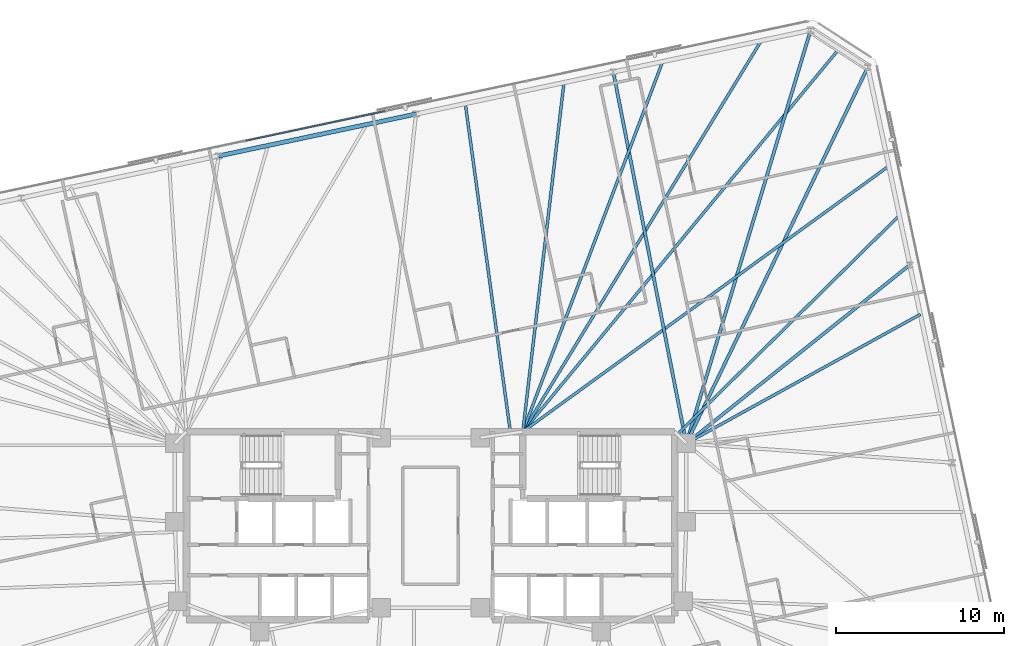
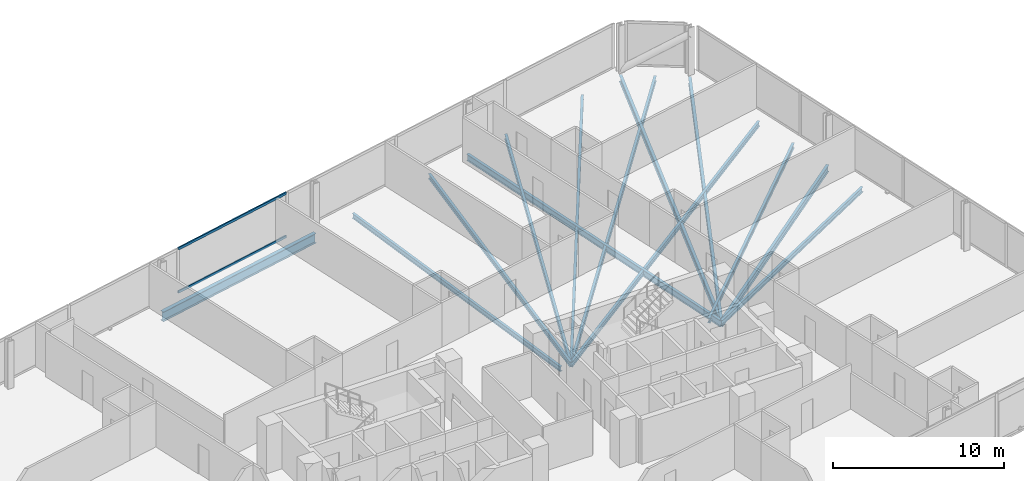
# One storey, part 10 of 19: 13 beams, 2 members, 1 element without a shape of its own.
"""IFC4 building model written with IfcOpenShell, lengths in metres."""

import ifcopenshell
import ifcopenshell.guid

model = None  # the IFC model being written
_history = None  # IfcOwnerHistory: only IFC2X3 demands one
_inside = {}  # id of a spatial element -> (the spatial element, [elements in it])
_under = {}  # id of a project, library or spatial element -> (it, [spatial elements below it])
_declared = {}  # id of a project -> (the project, [libraries it declares])
_typed = {}  # id of a type object -> (the type object, [elements of that type])
_made_of = {}  # id of a material, layer set ... -> (it, [elements and type objects made of it])


def new_model(schema):
    """Start an empty IFC model of exactly this schema.

    Asked for "IFC4X3", IfcOpenShell would pick the latest addendum, in which some entities
    have other attributes; the version numbers below select the first issue.
    IFC2X3 requires an IfcOwnerHistory on every rooted entity: one is made here for all.
    """
    global model, _history
    if schema == "IFC4X3":
        model = ifcopenshell.file(schema_version=(4, 3, 0, 0))
    else:
        model = ifcopenshell.file(schema=schema)
    _inside.clear()
    _under.clear()
    _declared.clear()
    _typed.clear()
    _made_of.clear()
    _history = None
    if model.schema == "IFC2X3":
        org = make("IfcOrganization", Name="unknown")
        user = make(
            "IfcPersonAndOrganization",
            ThePerson=make("IfcPerson", FamilyName="unknown"),
            TheOrganization=org,
        )
        app = make(
            "IfcApplication",
            ApplicationDeveloper=org,
            Version="unknown",
            ApplicationFullName="unknown",
            ApplicationIdentifier="unknown",
        )
        _history = make(
            "IfcOwnerHistory",
            OwningUser=user,
            OwningApplication=app,
            ChangeAction="ADDED",
            CreationDate=0,
        )
    return model


def make(cls, **values):
    """One entity of the class cls with the attributes given. An attribute that is None is left unset."""
    return model.create_entity(
        cls, **{name: value for name, value in values.items() if value is not None}
    )


def rooted(cls, **values):
    """An entity with a GlobalId (a new one), such as an element, a storey or a relation."""
    return make(cls, GlobalId=ifcopenshell.guid.new(), OwnerHistory=_history, **values)


def si_unit(unit_type, name, prefix=None):
    """IfcSIUnit, for example si_unit("LENGTHUNIT", "METRE", prefix="MILLI")."""
    return make("IfcSIUnit", UnitType=unit_type, Prefix=prefix, Name=name)


def assignment(units):
    """IfcUnitAssignment: the units of a project."""
    return None if units is None else make("IfcUnitAssignment", Units=units)


def point(xyz):
    """IfcCartesianPoint."""
    return None if xyz is None else make("IfcCartesianPoint", Coordinates=xyz)


def direction(xyz):
    """IfcDirection."""
    return None if xyz is None else make("IfcDirection", DirectionRatios=xyz)


def frame(location, z_axis=None, x_axis=None):
    """IfcAxis2Placement3D, a coordinate frame: its origin and axes. An axis left out is left unset."""
    return make(
        "IfcAxis2Placement3D",
        Location=point(location),
        Axis=direction(z_axis),
        RefDirection=direction(x_axis),
    )


def frame_2d(location, x_axis=None):
    """IfcAxis2Placement2D, a coordinate frame in the plane: its origin and x axis."""
    return make(
        "IfcAxis2Placement2D", Location=point(location), RefDirection=direction(x_axis)
    )


def origin():
    """The frame at (0, 0, 0) with its axes left unset."""
    return frame((0.0, 0.0, 0.0))


def origin_2d():
    """The frame at (0, 0) in the plane with its x axis left unset."""
    return frame_2d((0.0, 0.0))


def place(relative_to, where):
    """IfcLocalPlacement: puts the frame where relative to a parent placement (None: the world)."""
    return make(
        "IfcLocalPlacement", PlacementRelTo=relative_to, RelativePlacement=where
    )


def context(
    kind, dimensions, precision=None, world=None, true_north=None, identifier=None
):
    """IfcGeometricRepresentationContext, for example the 3D "Model" context."""
    return make(
        "IfcGeometricRepresentationContext",
        ContextIdentifier=identifier,
        ContextType=kind,
        CoordinateSpaceDimension=dimensions,
        Precision=precision,
        WorldCoordinateSystem=world,
        TrueNorth=true_north,
    )


def subcontext(parent, identifier, kind, view, scale=None):
    """IfcGeometricRepresentationSubContext, for example "Body" below "Model"."""
    return make(
        "IfcGeometricRepresentationSubContext",
        ContextIdentifier=identifier,
        ContextType=kind,
        ParentContext=parent,
        TargetScale=scale,
        TargetView=view,
    )


def project(units=None, contexts=None):
    """IfcProject with its units and contexts."""
    return rooted(
        "IfcProject",
        Name="project",
        RepresentationContexts=contexts,
        UnitsInContext=assignment(units),
    )


def spatial(cls, under=None, at=None, **own):
    """A site, building, storey or space (cls), placed at a placement, below another one or the project."""
    s = rooted(cls, ObjectPlacement=at, **own)
    if under is not None:
        _under.setdefault(under.id(), (under, []))[1].append(s)
    return s


def profile(cls, at=None, kind="AREA", **sizes):
    """A parametric profile (cls). Its sizes go by their IFC names, for example OverallWidth=200.0."""
    return make(cls, ProfileType=kind, Position=at, **sizes)


def rectangle(**sizes):
    """IfcRectangleProfileDef."""
    return profile("IfcRectangleProfileDef", **sizes)


def i_section(**sizes):
    """IfcIShapeProfileDef."""
    return profile("IfcIShapeProfileDef", **sizes)


def extrude(swept, where, along, depth):
    """IfcExtrudedAreaSolid: the profile swept, set in the frame where, extruded along a direction by depth."""
    return make(
        "IfcExtrudedAreaSolid",
        SweptArea=swept,
        Position=where,
        ExtrudedDirection=direction(along),
        Depth=depth,
    )


def shape(context_of_items, identifier, shape_type, items):
    """IfcShapeRepresentation: the items that make up one representation, for example the "Body"."""
    return make(
        "IfcShapeRepresentation",
        ContextOfItems=context_of_items,
        RepresentationIdentifier=identifier,
        RepresentationType=shape_type,
        Items=items,
    )


def material(Name=None, Category=None):
    """IfcMaterial."""
    return make("IfcMaterial", Name=Name, Category=Category)


def material_profile(
    of_material, cross_section, Name=None, Category=None, Priority=None
):
    """IfcMaterialProfile: a cross section and its material."""
    return make(
        "IfcMaterialProfile",
        Name=Name,
        Material=of_material,
        Profile=cross_section,
        Priority=Priority,
        Category=Category,
    )


def profile_set(profiles, Name=None, composite=None):
    """IfcMaterialProfileSet."""
    return make(
        "IfcMaterialProfileSet",
        Name=Name,
        MaterialProfiles=profiles,
        CompositeProfile=composite,
    )


def made_of(thing, what):
    """Note that an element or type object is made of a material, layer set ...; save() writes the relation."""
    if what is not None:
        _made_of.setdefault(what.id(), (what, []))[1].append(thing)
    return thing


def type_object(cls, material=None, **own):
    """A type object (cls), such as IfcWallType, which elements share."""
    return made_of(rooted(cls, **own), material)


def element(
    cls,
    number,
    at=None,
    inside=None,
    cuts=None,
    type_object=None,
    material=None,
    context=None,
    identifier="Body",
    shape_type=None,
    held_by="IfcProductDefinitionShape",
    body=None,
    shapes=None,
    **own,
):
    """One element of the class cls, such as IfcWall. Its Tag is "e" and its number.

    at: its placement. inside: the storey or other place that contains it. cuts: it is an
    opening in that element (IfcRelVoidsElement). A single representation is given by context,
    identifier, shape_type and body (its items); several are given by shapes. held_by: the class
    of the entity that holds the representations. save() writes the other relations.
    """
    e = rooted(cls, Tag="e%d" % number, ObjectPlacement=at, **own)
    if body is not None:
        shapes = [shape(context, identifier, shape_type, body)]
    if shapes is not None:
        e.Representation = make(held_by, Representations=shapes)
    if inside is not None:
        _inside.setdefault(inside.id(), (inside, []))[1].append(e)
    if cuts is not None:
        rooted(
            "IfcRelVoidsElement", RelatingBuildingElement=cuts, RelatedOpeningElement=e
        )
    if type_object is not None:
        _typed.setdefault(type_object.id(), (type_object, []))[1].append(e)
    return made_of(e, material)


def aggregate(whole, parts):
    """IfcRelAggregates: a whole, such as a stair, and the parts it consists of."""
    return rooted("IfcRelAggregates", RelatingObject=whole, RelatedObjects=parts)


def save(model, path):
    """Write the relations noted so far, then the file.

    IfcRelAggregates (storeys below a building ...), IfcRelContainedInSpatialStructure (elements
    in a storey), IfcRelDefinesByType, IfcRelAssociatesMaterial and IfcRelDeclares: one each for
    every whole, place, type object, material and project.
    """
    for whole, parts in _under.values():
        aggregate(whole, parts)
    for where, things in _inside.values():
        rooted(
            "IfcRelContainedInSpatialStructure",
            RelatedElements=things,
            RelatingStructure=where,
        )
    for kind, things in _typed.values():
        rooted("IfcRelDefinesByType", RelatedObjects=things, RelatingType=kind)
    for what, things in _made_of.values():
        rooted("IfcRelAssociatesMaterial", RelatedObjects=things, RelatingMaterial=what)
    for by, libraries in _declared.values():
        rooted("IfcRelDeclares", RelatingContext=by, RelatedDefinitions=libraries)
    model.write(path)


model = new_model("IFC4")

# Units and contexts
model_context = context("Model", 3, precision=1e-05, world=origin(), true_north=direction((0.0, 1.0)))
body_context = subcontext(model_context, "Body", "Model", "MODEL_VIEW")
ifc_project = project(units=[si_unit("LENGTHUNIT", "METRE"), si_unit("AREAUNIT", "SQUARE_METRE"), si_unit("VOLUMEUNIT", "CUBIC_METRE"), si_unit("PLANEANGLEUNIT", "RADIAN"), si_unit("MASSUNIT", "GRAM", prefix="KILO")], contexts=[model_context])

# Site, building, storey
site_placement = place(None, origin())
site = spatial("IfcSite", under=ifc_project, at=site_placement, CompositionType="ELEMENT")
building_placement = place(site_placement, origin())
building = spatial("IfcBuilding", under=site, at=building_placement, Name="Menara Jurai Vektor", CompositionType="ELEMENT")
storey_placement = place(building_placement, frame((0.0, 0.0, 195.60009765625)))
storey = spatial("IfcBuildingStorey", under=building, at=storey_placement, Name="L51", CompositionType="ELEMENT", Elevation=195.60009765625)

# Curtain wall, members
ifc_material_1 = material(Name="Anodised Pale Aluminium & Low-E Double Glazing", Category="aluminium")
curtain_wall_type = type_object("IfcCurtainWallType", Name="CW-BLK3", PredefinedType="NOTDEFINED", material=ifc_material_1)
curtain_wall_placement = place(storey_placement, origin())
curtain_wall = element("IfcCurtainWall", 1, at=curtain_wall_placement, inside=storey, type_object=curtain_wall_type, Name="Unitised Curtain Wall L51 F05", PredefinedType="NOTDEFINED")
ifc_material_2 = material(Name="Anodised Pale Aluminium Transom", Category="aluminium")
ifc_material_profile_1 = material_profile(ifc_material_2, rectangle(XDim=0.0849609375, YDim=0.175048828125, at=origin_2d()), Name="ALU TRN 85x175")
ifc_profile_set_1 = profile_set([ifc_material_profile_1], Name="Anodised Pale Aluminium Transom")
member_type = type_object("IfcMemberType", Name="CW-BLK3-TRN", PredefinedType="USERDEFINED", material=ifc_profile_set_1)
member_1_placement = place(storey_placement, frame((-2.716796875, 24.712890625, 0.04248046875), z_axis=(-0.978153589924, -0.207883511896, 0.0), x_axis=(0.207883511896, -0.978153589924, 0.0)))
member_1 = element("IfcMember", 2, at=member_1_placement, type_object=member_type, Name="CW-03 transom 4.1", ObjectType="TRANSOM", PredefinedType="USERDEFINED", context=body_context, shape_type="SweptSolid", body=[
    extrude(rectangle(XDim=0.0849609375, YDim=0.175048828125, at=origin_2d()), origin(), (0.0, 0.0, 1.0), 8.4921875),
])
member_2_placement = place(storey_placement, frame((-2.716796875, 24.712890625, 3.13232421875), z_axis=(-0.978153589924, -0.207883511896, 0.0), x_axis=(0.207883511896, -0.978153589924, 0.0)))
member_2 = element("IfcMember", 3, at=member_2_placement, type_object=member_type, Name="CW-03 transom 4.2", ObjectType="TRANSOM", PredefinedType="USERDEFINED", context=body_context, shape_type="SweptSolid", body=[
    extrude(rectangle(XDim=0.0849609375, YDim=0.175048828125, at=origin_2d()), origin(), (0.0, 0.0, 1.0), 8.4921875),
])
aggregate(curtain_wall, [member_1, member_2])

# Beams
ifc_material_3 = material(Name="Steel S355", Category="steel")
ifc_material_profile_2 = material_profile(ifc_material_3, i_section(OverallWidth=0.19091796875, OverallDepth=0.4599609375, WebThickness=0.010009765625, FlangeThickness=0.01611328125, FilletRadius=0.010009765625, at=origin_2d()), Name="UKB 457x191x82")
ifc_profile_set_2 = profile_set([ifc_material_profile_2], Name="Steel S355")
beam_type_1 = type_object("IfcBeamType", Name="STR-BM-457", PredefinedType="BEAM", material=ifc_profile_set_2)
beam_1_placement = place(storey_placement, frame((28.5771484375, 15.544921875, -0.455078125), z_axis=(-0.781346163898, -0.624097886683, 0.0), x_axis=(0.624097886683, -0.781346163898, 0.0)))
element("IfcBeam", 4, at=beam_1_placement, inside=storey, type_object=beam_type_1, Name="Radial Floor Girder L51-E3", PredefinedType="BEAM", context=body_context, shape_type="SweptSolid", body=[
    extrude(i_section(OverallWidth=0.19091796875, OverallDepth=0.4599609375, WebThickness=0.010009765625, FlangeThickness=0.01611328125, FilletRadius=0.010009765625, at=origin_2d()), origin(), (0.0, 0.0, 1.0), 17.056640625),
])
beam_2_placement = place(storey_placement, frame((26.0712890625, 27.33349609375, -0.455078125), z_axis=(-0.434465059539, -0.900688687639, 0.0), x_axis=(0.900688687639, -0.434465059539, 0.0)))
element("IfcBeam", 5, at=beam_2_placement, inside=storey, type_object=beam_type_1, Name="Radial Floor Girder L51-E4", PredefinedType="BEAM", context=body_context, shape_type="SweptSolid", body=[
    extrude(i_section(OverallWidth=0.19091796875, OverallDepth=0.4599609375, WebThickness=0.010009765625, FlangeThickness=0.01611328125, FilletRadius=0.010009765625, at=origin_2d()), origin(), (0.0, 0.0, 1.0), 24.9072265625),
])
beam_3_placement = place(storey_placement, frame((22.664794921875, 29.545654296875, -0.455078125), z_axis=(-0.288098843548, -0.957600676872, 0.0), x_axis=(0.957600676872, -0.288098843548, 0.0)))
element("IfcBeam", 6, at=beam_3_placement, inside=storey, type_object=beam_type_1, Name="Radial Floor Girder L51-N1", PredefinedType="BEAM", context=body_context, shape_type="SweptSolid", body=[
    extrude(i_section(OverallWidth=0.19091796875, OverallDepth=0.4599609375, WebThickness=0.010009765625, FlangeThickness=0.01611328125, FilletRadius=0.010009765625, at=origin_2d()), origin(), (0.0, 0.0, 1.0), 25.737060546875),
])
beam_4_placement = place(storey_placement, frame((10.896484375, 27.044189453125, -0.455078125), z_axis=(0.192905075816, -0.981217423268, 0.0), x_axis=(0.981217423268, 0.192905075816, 0.0)))
element("IfcBeam", 7, at=beam_4_placement, inside=storey, type_object=beam_type_1, Name="Radial Floor Girder L51-N2", PredefinedType="BEAM", context=body_context, shape_type="SweptSolid", body=[
    extrude(i_section(OverallWidth=0.19091796875, OverallDepth=0.4599609375, WebThickness=0.010009765625, FlangeThickness=0.01611328125, FilletRadius=0.010009765625, at=origin_2d()), origin(), (0.0, 0.0, 1.0), 22.568115234375),
])
ifc_material_profile_3 = material_profile(ifc_material_3, i_section(OverallWidth=0.172119140625, OverallDepth=0.35498046875, WebThickness=0.007080078125, FlangeThickness=0.011962890625, FilletRadius=0.010009765625, at=origin_2d()), Name="UKB 356x171x51")
ifc_profile_set_3 = profile_set([ifc_material_profile_3], Name="Steel S355")
beam_type_2 = type_object("IfcBeamType", Name="STR-JS-356", PredefinedType="JOIST", material=ifc_profile_set_3)
beam_5_placement = place(storey_placement, frame((29.20361328125, 12.597900390625, -0.402587890625), z_axis=(-0.875592207488, -0.483051018202, 0.0), x_axis=(0.483051018202, -0.875592207488, 0.0)))
element("IfcBeam", 8, at=beam_5_placement, inside=storey, type_object=beam_type_2, Name="Radial Secondary Floor Joist L51-JS14", PredefinedType="JOIST", context=body_context, shape_type="SweptSolid", body=[
    extrude(i_section(OverallWidth=0.172119140625, OverallDepth=0.35498046875, WebThickness=0.007080078125, FlangeThickness=0.011962890625, FilletRadius=0.010009765625, at=origin_2d()), origin(), (0.0, 0.0, 1.0), 15.936279296875),
])
beam_6_placement = place(storey_placement, frame((27.95068359375, 18.4921875, -0.402587890625), z_axis=(-0.712171791789, -0.702005227174, 0.0), x_axis=(0.702005227174, -0.712171791789, 0.0)))
element("IfcBeam", 9, at=beam_6_placement, inside=storey, type_object=beam_type_2, Name="Radial Secondary Floor Joist L51-JS15", PredefinedType="JOIST", context=body_context, shape_type="SweptSolid", body=[
    extrude(i_section(OverallWidth=0.172119140625, OverallDepth=0.35498046875, WebThickness=0.007080078125, FlangeThickness=0.011962890625, FilletRadius=0.010009765625, at=origin_2d()), origin(), (0.0, 0.0, 1.0), 18.5869140625),
])
beam_7_placement = place(storey_placement, frame((27.32421875, 21.439208984375, -0.402587890625), z_axis=(-0.809318640486, -0.587369847848, 0.0), x_axis=(0.587369847848, -0.809318640486, 0.0)))
element("IfcBeam", 10, at=beam_7_placement, inside=storey, type_object=beam_type_2, Name="Radial Secondary Floor Joist L51-JS16", PredefinedType="JOIST", context=body_context, shape_type="SweptSolid", body=[
    extrude(i_section(OverallWidth=0.172119140625, OverallDepth=0.35498046875, WebThickness=0.007080078125, FlangeThickness=0.011962890625, FilletRadius=0.010009765625, at=origin_2d()), origin(), (0.0, 0.0, 1.0), 26.966064453125),
])
beam_8_placement = place(storey_placement, frame((24.3681640625, 28.439697265625, -0.402587890625), z_axis=(-0.636894863934, -0.770950667873, 0.0), x_axis=(0.770950667873, -0.636894863934, 0.0)))
element("IfcBeam", 11, at=beam_8_placement, inside=storey, type_object=beam_type_2, Name="Radial Secondary Floor Joist L51-JS17", PredefinedType="JOIST", context=body_context, shape_type="SweptSolid", body=[
    extrude(i_section(OverallWidth=0.172119140625, OverallDepth=0.35498046875, WebThickness=0.007080078125, FlangeThickness=0.011962890625, FilletRadius=0.010009765625, at=origin_2d()), origin(), (0.0, 0.0, 1.0), 29.625244140625),
])
beam_9_placement = place(storey_placement, frame((19.72265625, 28.92041015625, -0.402587890625), z_axis=(-0.520686242997, -0.8537481106, 0.0), x_axis=(0.8537481106, -0.520686242997, 0.0)))
element("IfcBeam", 12, at=beam_9_placement, inside=storey, type_object=beam_type_2, Name="Radial Secondary Floor Joist L51-JS18", PredefinedType="JOIST", context=body_context, shape_type="SweptSolid", body=[
    extrude(i_section(OverallWidth=0.172119140625, OverallDepth=0.35498046875, WebThickness=0.007080078125, FlangeThickness=0.011962890625, FilletRadius=0.010009765625, at=origin_2d()), origin(), (0.0, 0.0, 1.0), 27.315185546875),
])
beam_10_placement = place(storey_placement, frame((13.838623046875, 27.669677734375, -0.402587890625), z_axis=(-0.353446048928, -0.935454910991, 0.0), x_axis=(0.935454910991, -0.353446048928, 0.0)))
element("IfcBeam", 13, at=beam_10_placement, inside=storey, type_object=beam_type_2, Name="Radial Secondary Floor Joist L51-JS19", PredefinedType="JOIST", context=body_context, shape_type="SweptSolid", body=[
    extrude(i_section(OverallWidth=0.172119140625, OverallDepth=0.35498046875, WebThickness=0.007080078125, FlangeThickness=0.011962890625, FilletRadius=0.010009765625, at=origin_2d()), origin(), (0.0, 0.0, 1.0), 23.59228515625),
])
beam_11_placement = place(storey_placement, frame((7.95458984375, 26.4189453125, -0.402587890625), z_axis=(-0.117091260338, -0.99312115915, 0.0), x_axis=(0.99312115915, -0.117091260338, 0.0)))
element("IfcBeam", 14, at=beam_11_placement, inside=storey, type_object=beam_type_2, Name="Radial Secondary Floor Joist L51-JS20", PredefinedType="JOIST", context=body_context, shape_type="SweptSolid", body=[
    extrude(i_section(OverallWidth=0.172119140625, OverallDepth=0.35498046875, WebThickness=0.007080078125, FlangeThickness=0.011962890625, FilletRadius=0.010009765625, at=origin_2d()), origin(), (0.0, 0.0, 1.0), 20.963134765625),
])
beam_12_placement = place(storey_placement, frame((2.0703125, 25.168212890625, -0.402587890625), z_axis=(0.135985700778, -0.990710799973, 0.0), x_axis=(0.990710799973, 0.135985700778, 0.0)))
element("IfcBeam", 15, at=beam_12_placement, inside=storey, type_object=beam_type_2, Name="Radial Secondary Floor Joist L51-JS21", PredefinedType="JOIST", context=body_context, shape_type="SweptSolid", body=[
    extrude(i_section(OverallWidth=0.172119140625, OverallDepth=0.35498046875, WebThickness=0.007080078125, FlangeThickness=0.011962890625, FilletRadius=0.010009765625, at=origin_2d()), origin(), (0.0, 0.0, 1.0), 19.852783203125),
])
ifc_material_4 = material(Name="Steel S460", Category="steel")
ifc_material_profile_4 = material_profile(ifc_material_4, i_section(OverallWidth=0.256103515625, OverallDepth=0.693115234375, WebThickness=0.013916015625, FlangeThickness=0.02392578125, FilletRadius=0.014892578125, at=origin_2d()), Name="UKB 686x254x170")
ifc_profile_set_4 = profile_set([ifc_material_profile_4], Name="Steel S460")
beam_type_3 = type_object("IfcBeamType", Name="STR-SP-686", PredefinedType="SPANDREL", material=ifc_profile_set_4)
beam_13_placement = place(storey_placement, frame((-0.87158203125, 24.54296875, -0.571533203125), z_axis=(-0.978147039247, -0.207914332389, 0.0), x_axis=(0.207914332389, -0.978147039247, 0.0)))
element("IfcBeam", 16, at=beam_13_placement, inside=storey, type_object=beam_type_3, Name="Exoskeleton Spandrel Beam L51-13", PredefinedType="SPANDREL", context=body_context, shape_type="SweptSolid", body=[
    extrude(i_section(OverallWidth=0.256103515625, OverallDepth=0.693115234375, WebThickness=0.013916015625, FlangeThickness=0.02392578125, FilletRadius=0.014892578125, at=origin_2d()), origin(), (0.0, 0.0, 1.0), 12.03125),
])

save(model, "model.ifc")
